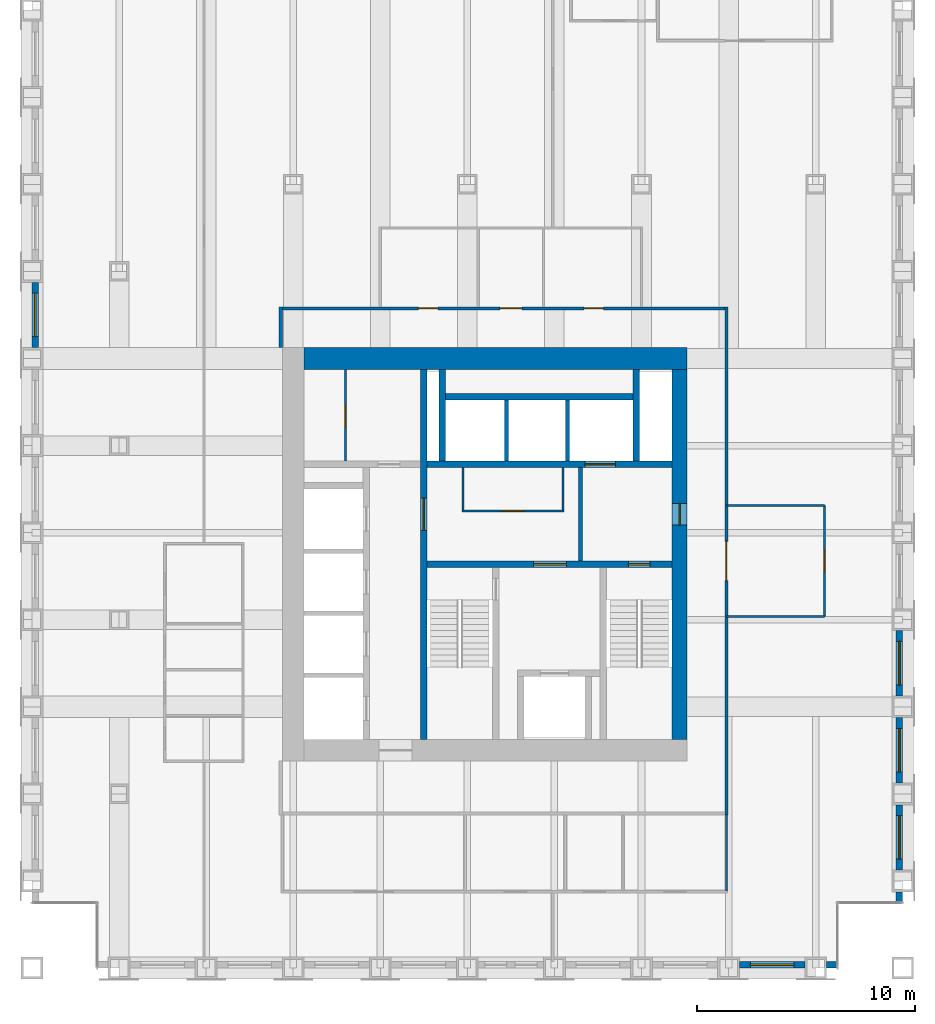
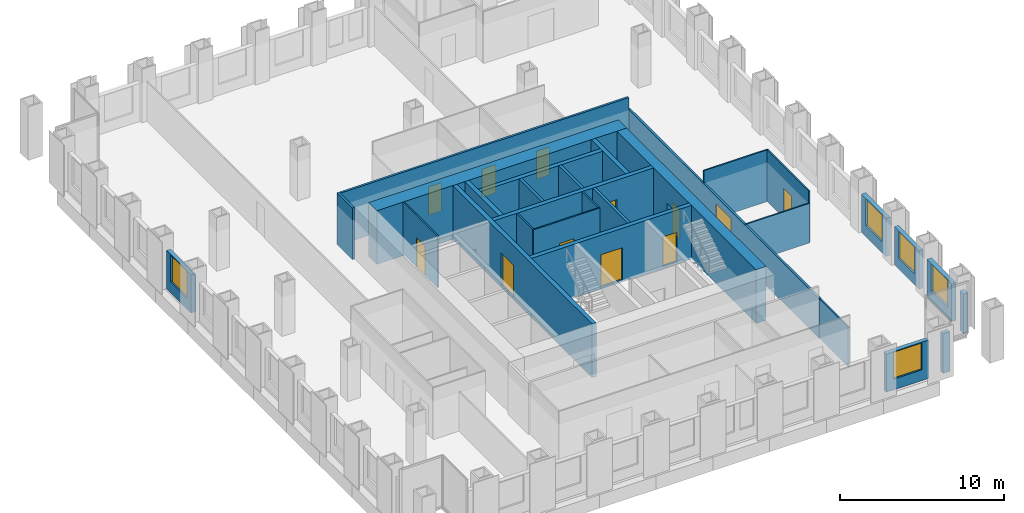
# One storey, part 10 of 13: 29 walls, 12 doors, 5 windows, 17 openings.
"""IFC4 building model written with IfcOpenShell, lengths in metres."""

from ifc_helpers import new_model, si_unit, direction, frame, frame_2d, origin, place, context, subcontext, project, spatial, rectangle, extrude, material, layer, layer_set, type_object, element, fill, save


model = new_model("IFC4")

# Units and contexts
model_context = context("Model", 3, precision=1e-05, world=origin(), true_north=direction((0.0, 1.0)))
body_context = subcontext(model_context, "Body", "Model", "MODEL_VIEW")
ifc_project = project(units=[si_unit("LENGTHUNIT", "METRE"), si_unit("AREAUNIT", "SQUARE_METRE"), si_unit("VOLUMEUNIT", "CUBIC_METRE"), si_unit("PLANEANGLEUNIT", "RADIAN"), si_unit("MASSUNIT", "GRAM", prefix="KILO")], contexts=[model_context])

# Site, building, storey
site_placement = place(None, origin())
site = spatial("IfcSite", under=ifc_project, at=site_placement, CompositionType="ELEMENT")
building_placement = place(site_placement, origin())
building = spatial("IfcBuilding", under=site, at=building_placement, Name="Rimbunsela Tower", CompositionType="ELEMENT")
storey_placement = place(building_placement, frame((0.0, 0.0, 191.800048828125)))
storey = spatial("IfcBuildingStorey", under=building, at=storey_placement, Name="L46", CompositionType="ELEMENT", Elevation=191.800048828125)

# Wall, opening, door
ifc_material_1 = material(Name="Concrete fc' 80 MPa", Category="concrete")
ifc_layer_1 = layer(ifc_material_1, 0.300048828125)
ifc_layer_set_1 = layer_set([ifc_layer_1], Name="Core internal wall 300")
wall_type_1 = type_object("IfcWallType", Name="Core internal wall 300", PredefinedType="SHEAR", material=ifc_layer_set_1)
wall_1_placement = place(storey_placement, frame((24.0, 18.5, -0.150146484375), z_axis=(0.0, 0.0, 1.0), x_axis=(0.0, 1.0, 0.0)))
wall_1 = element("IfcWall", 1, at=wall_1_placement, inside=storey, type_object=wall_type_1, Name="Core wall at stair A", PredefinedType="SHEAR", context=body_context, shape_type="SweptSolid", body=[
    extrude(rectangle(XDim=17.0, YDim=0.300048828125, at=frame_2d((8.5, 0.0))), origin(), (0.0, 0.0, 1.0), 4.0),
])
opening_1_placement = place(wall_1_placement, frame((9.60009765625, 0.0, 0.14990234375)))
opening_1 = element("IfcOpeningElement", 2, at=opening_1_placement, cuts=wall_1, Name="Opening D03", PredefinedType="OPENING", context=body_context, shape_type="SweptSolid", body=[
    extrude(rectangle(XDim=1.5, YDim=2.39990234375, at=frame_2d((0.75, 1.199951171875))), frame((0.0, 0.159912109375, 0.0), z_axis=(0.0, -1.0, 0.0), x_axis=(1.0, 0.0, 0.0)), (0.0, 0.0, 1.0), 0.320068359375),
])
ifc_material_2 = material(Name="Steel door, fire rated", Category="steel")
door_type_1 = type_object("IfcDoorType", Name="Core lobby door 1500", OperationType="DOUBLE_DOOR_DOUBLE_SWING", PredefinedType="DOOR", material=ifc_material_2)
door_1_placement = place(opening_1_placement, origin())
door_1 = element("IfcDoor", 3, at=door_1_placement, inside=storey, type_object=door_type_1, Name="West lobby door", OperationType="DOUBLE_DOOR_DOUBLE_SWING", OverallHeight=2.39990234375, OverallWidth=1.5, PredefinedType="DOOR", context=body_context, shape_type="SweptSolid", body=[
    extrude(rectangle(XDim=1.5, YDim=2.39990234375, at=frame_2d((0.75, 1.199951171875))), frame((0.0, 0.02490234375, 0.0), z_axis=(0.0, -1.0, 0.0), x_axis=(1.0, 0.0, 0.0)), (0.0, 0.0, 1.0), 0.050048828125),
])
fill(opening_1, door_1)

# Wall, openings, doors
wall_2_placement = place(storey_placement, frame((24.14990234375, 26.550048828125, -0.150146484375), z_axis=(0.0, 0.0, 1.0), x_axis=(1.0, 0.0, 0.0)))
wall_2 = element("IfcWall", 4, at=wall_2_placement, inside=storey, type_object=wall_type_1, Name="Core wall lobby south", PredefinedType="SHEAR", context=body_context, shape_type="SweptSolid", body=[
    extrude(rectangle(XDim=11.25, YDim=0.300048828125, at=frame_2d((5.625, 0.0))), origin(), (0.0, 0.0, 1.0), 4.0),
])
opening_2_placement = place(wall_2_placement, frame((9.25, 0.0, 0.14990234375)))
opening_2 = element("IfcOpeningElement", 5, at=opening_2_placement, cuts=wall_2, Name="Opening D01", PredefinedType="OPENING", context=body_context, shape_type="SweptSolid", body=[
    extrude(rectangle(XDim=1.0, YDim=2.199951171875, at=frame_2d((0.5, 1.10009765625))), frame((0.0, 0.159912109375, 0.0), z_axis=(0.0, -1.0, 0.0), x_axis=(1.0, 0.0, 0.0)), (0.0, 0.0, 1.0), 0.320068359375),
])
opening_3_placement = place(wall_2_placement, frame((4.89990234375, 0.0, 0.14990234375)))
opening_3 = element("IfcOpeningElement", 6, at=opening_3_placement, cuts=wall_2, Name="Opening D03", PredefinedType="OPENING", context=body_context, shape_type="SweptSolid", body=[
    extrude(rectangle(XDim=1.5, YDim=2.39990234375, at=frame_2d((0.75, 1.199951171875))), frame((0.0, 0.159912109375, 0.0), z_axis=(0.0, -1.0, 0.0), x_axis=(1.0, 0.0, 0.0)), (0.0, 0.0, 1.0), 0.320068359375),
])
door_2_placement = place(opening_3_placement, origin())
door_2 = element("IfcDoor", 7, at=door_2_placement, inside=storey, type_object=door_type_1, Name="Firefighting lobby door", OperationType="DOUBLE_DOOR_DOUBLE_SWING", OverallHeight=2.39990234375, OverallWidth=1.5, PredefinedType="DOOR", context=body_context, shape_type="SweptSolid", body=[
    extrude(rectangle(XDim=1.5, YDim=2.39990234375, at=frame_2d((0.75, 1.199951171875))), frame((0.0, 0.02490234375, 0.0), z_axis=(0.0, -1.0, 0.0), x_axis=(1.0, 0.0, 0.0)), (0.0, 0.0, 1.0), 0.050048828125),
])
fill(opening_3, door_2)
ifc_material_3 = material(Name="Steel door, fire rated", Category="steel")
door_type_2 = type_object("IfcDoorType", Name="Stair door 1000", OperationType="SINGLE_SWING_RIGHT", PredefinedType="DOOR", material=ifc_material_3)
door_3_placement = place(opening_2_placement, frame((1.0, 0.0, 0.0), z_axis=(0.0, 0.0, 1.0), x_axis=(-1.0, 0.0, 0.0)))
door_3 = element("IfcDoor", 8, at=door_3_placement, inside=storey, type_object=door_type_2, Name="Stair B door", OperationType="SINGLE_SWING_RIGHT", OverallHeight=2.199951171875, OverallWidth=1.0, PredefinedType="DOOR", context=body_context, shape_type="SweptSolid", body=[
    extrude(rectangle(XDim=1.0, YDim=2.199951171875, at=frame_2d((0.5, 1.10009765625))), frame((0.0, 0.02490234375, 0.0), z_axis=(0.0, -1.0, 0.0), x_axis=(1.0, 0.0, 0.0)), (0.0, 0.0, 1.0), 0.050048828125),
])
fill(opening_2, door_3)

# Wall, opening, door
wall_3_placement = place(storey_placement, frame((24.14990234375, 31.14990234375, -0.150146484375), z_axis=(0.0, 0.0, 1.0), x_axis=(1.0, 0.0, 0.0)))
wall_3 = element("IfcWall", 9, at=wall_3_placement, inside=storey, type_object=wall_type_1, Name="Lift shaft front north", PredefinedType="SHEAR", context=body_context, shape_type="SweptSolid", body=[
    extrude(rectangle(XDim=11.25, YDim=0.300048828125, at=frame_2d((5.625, 0.0))), origin(), (0.0, 0.0, 1.0), 4.0),
])
opening_4_placement = place(wall_3_placement, frame((7.25, 0.0, 0.14990234375)))
opening_4 = element("IfcOpeningElement", 10, at=opening_4_placement, cuts=wall_3, Name="Opening LD3", PredefinedType="OPENING", context=body_context, shape_type="SweptSolid", body=[
    extrude(rectangle(XDim=1.39990234375, YDim=2.39990234375, at=frame_2d((0.699951171875, 1.199951171875))), frame((0.0, 0.159912109375, 0.0), z_axis=(0.0, -1.0, 0.0), x_axis=(1.0, 0.0, 0.0)), (0.0, 0.0, 1.0), 0.320068359375),
])
ifc_material_4 = material(Name="Steel door, fire rated", Category="steel")
door_type_3 = type_object("IfcDoorType", Name="Lift landing door 1400", OperationType="DOUBLE_DOOR_SLIDING", PredefinedType="DOOR", material=ifc_material_4)
door_4_placement = place(opening_4_placement, origin())
door_4 = element("IfcDoor", 11, at=door_4_placement, inside=storey, type_object=door_type_3, Name="Lift landing door FL2", OperationType="DOUBLE_DOOR_SLIDING", OverallHeight=2.39990234375, OverallWidth=1.39990234375, PredefinedType="DOOR", context=body_context, shape_type="SweptSolid", body=[
    extrude(rectangle(XDim=1.39990234375, YDim=2.39990234375, at=frame_2d((0.699951171875, 1.199951171875))), frame((0.0, 0.02490234375, 0.0), z_axis=(0.0, -1.0, 0.0), x_axis=(1.0, 0.0, 0.0)), (0.0, 0.0, 1.0), 0.050048828125),
])
fill(opening_4, door_4)

# Walls
for number, where, z_axis, x_axis, name in (
    (12, (24.85009765625, 31.300048828125, -0.150146484375), (0.0, 0.0, 1.0), (0.0, 1.0, 0.0), "Riser wall"),
    (13, (33.75, 31.300048828125, -0.150146484375), (0.0, 0.0, 1.0), (0.0, 1.0, 0.0), "Riser wall"),
):
    element("IfcWall", number, at=place(storey_placement, frame(where, z_axis=z_axis, x_axis=x_axis)), inside=storey, type_object=wall_type_1, Name=name, PredefinedType="SHEAR", context=body_context, shape_type="SweptSolid", body=[
        extrude(rectangle(XDim=4.199951171875, YDim=0.300048828125, at=frame_2d((2.10009765625, 0.0))), origin(), (0.0, 0.0, 1.0), 4.0),
    ])
wall_4_placement = place(storey_placement, frame((25.0, 34.25, -0.150146484375), z_axis=(0.0, 0.0, 1.0), x_axis=(1.0, 0.0, 0.0)))
element("IfcWall", 14, at=wall_4_placement, inside=storey, type_object=wall_type_1, Name="Lift shaft rear north", PredefinedType="SHEAR", context=body_context, shape_type="SweptSolid", body=[
    extrude(rectangle(XDim=8.60009765625, YDim=0.300048828125, at=frame_2d((4.300048828125, 0.0))), origin(), (0.0, 0.0, 1.0), 4.0),
])

# Wall, opening, door
ifc_material_5 = material(Name="Concrete blockwork", Category="masonry")
ifc_layer_2 = layer(ifc_material_5, 0.10009765625)
ifc_layer_set_2 = layer_set([ifc_layer_2], Name="Core room partition 100")
wall_type_2 = type_object("IfcWallType", Name="Core room partition 100", PredefinedType="PARTITIONING", material=ifc_layer_set_2)
wall_5_placement = place(storey_placement, frame((20.39990234375, 31.300048828125, 0.0), z_axis=(0.0, 0.0, 1.0), x_axis=(0.0, 1.0, 0.0)))
wall_5 = element("IfcWall", 15, at=wall_5_placement, inside=storey, type_object=wall_type_2, Name="Housekeeping store wall", PredefinedType="PARTITIONING", context=body_context, shape_type="SweptSolid", body=[
    extrude(rectangle(XDim=4.199951171875, YDim=0.10009765625, at=frame_2d((2.10009765625, 0.0))), origin(), (0.0, 0.0, 1.0), 3.849853515625),
])
opening_5_placement = place(wall_5_placement, frame((1.550048828125, 0.0, 0.0)))
opening_5 = element("IfcOpeningElement", 16, at=opening_5_placement, cuts=wall_5, Name="Opening D19", PredefinedType="OPENING", context=body_context, shape_type="SweptSolid", body=[
    extrude(rectangle(XDim=1.0, YDim=2.199951171875, at=frame_2d((0.5, 1.10009765625))), frame((0.0, 0.06005859375, 0.0), z_axis=(0.0, -1.0, 0.0), x_axis=(1.0, 0.0, 0.0)), (0.0, 0.0, 1.0), 0.1201171875),
])
ifc_material_6 = material(Name="Steel door, fire rated", Category="steel")
door_type_4 = type_object("IfcDoorType", Name="Service door 1000 fire rated", OperationType="SINGLE_SWING_LEFT", PredefinedType="DOOR", material=ifc_material_6)
door_5_placement = place(opening_5_placement, origin())
door_5 = element("IfcDoor", 17, at=door_5_placement, inside=storey, type_object=door_type_4, Name="Housekeeping store door", OperationType="SINGLE_SWING_LEFT", OverallHeight=2.199951171875, OverallWidth=1.0, PredefinedType="DOOR", context=body_context, shape_type="SweptSolid", body=[
    extrude(rectangle(XDim=1.0, YDim=2.199951171875, at=frame_2d((0.5, 1.10009765625))), frame((0.0, 0.02490234375, 0.0), z_axis=(0.0, -1.0, 0.0), x_axis=(1.0, 0.0, 0.0)), (0.0, 0.0, 1.0), 0.050048828125),
])
fill(opening_5, door_5)

wall_6_placement = place(storey_placement, frame((25.75, 29.0, 0.0), z_axis=(0.0, 0.0, 1.0), x_axis=(1.0, 0.0, 0.0)))
wall_6 = element("IfcWall", 18, at=wall_6_placement, inside=storey, type_object=wall_type_2, Name="Lobby room wall", PredefinedType="PARTITIONING", context=body_context, shape_type="SweptSolid", body=[
    extrude(rectangle(XDim=4.699951171875, YDim=0.10009765625, at=frame_2d((2.35009765625, 0.0))), origin(), (0.0, 0.0, 1.0), 3.849853515625),
])
opening_6_placement = place(wall_6_placement, frame((1.85009765625, 0.0, 0.0)))
opening_6 = element("IfcOpeningElement", 19, at=opening_6_placement, cuts=wall_6, Name="Opening D19", PredefinedType="OPENING", context=body_context, shape_type="SweptSolid", body=[
    extrude(rectangle(XDim=1.0, YDim=2.199951171875, at=frame_2d((0.5, 1.10009765625))), frame((0.0, 0.06005859375, 0.0), z_axis=(0.0, -1.0, 0.0), x_axis=(1.0, 0.0, 0.0)), (0.0, 0.0, 1.0), 0.1201171875),
])
door_6_placement = place(opening_6_placement, origin())
door_6 = element("IfcDoor", 20, at=door_6_placement, inside=storey, type_object=door_type_4, Name="Tenant store door", OperationType="SINGLE_SWING_LEFT", OverallHeight=2.199951171875, OverallWidth=1.0, PredefinedType="DOOR", context=body_context, shape_type="SweptSolid", body=[
    extrude(rectangle(XDim=1.0, YDim=2.199951171875, at=frame_2d((0.5, 1.10009765625))), frame((0.0, 0.02490234375, 0.0), z_axis=(0.0, -1.0, 0.0), x_axis=(1.0, 0.0, 0.0)), (0.0, 0.0, 1.0), 0.050048828125),
])
fill(opening_6, door_6)

# Walls
for number, where, z_axis, x_axis, name in (
    (21, (25.800048828125, 29.050048828125, 0.0), (0.0, 0.0, 1.0), (0.0, 1.0, 0.0), "Lobby room wall"),
    (22, (30.39990234375, 29.050048828125, 0.0), (0.0, 0.0, 1.0), (0.0, 1.0, 0.0), "Lobby room wall"),
):
    element("IfcWall", number, at=place(storey_placement, frame(where, z_axis=z_axis, x_axis=x_axis)), inside=storey, type_object=wall_type_2, Name=name, PredefinedType="PARTITIONING", context=body_context, shape_type="SweptSolid", body=[
        extrude(rectangle(XDim=1.949951171875, YDim=0.10009765625, at=frame_2d((0.97509765625, 0.0))), origin(), (0.0, 0.0, 1.0), 3.849853515625),
    ])
ifc_material_7 = material(Name="Concrete fc' 80 MPa", Category="concrete")
ifc_layer_3 = layer(ifc_material_7, 1.0)
ifc_layer_set_3 = layer_set([ifc_layer_3], Name="Core wall 1000")
wall_type_3 = type_object("IfcWallType", Name="Core wall 1000", PredefinedType="SHEAR", material=ifc_layer_set_3)
wall_7_placement = place(storey_placement, frame((18.5, 36.0, -0.150146484375), z_axis=(0.0, 0.0, 1.0), x_axis=(1.0, 0.0, 0.0)))
element("IfcWall", 23, at=wall_7_placement, inside=storey, type_object=wall_type_3, Name="Core wall north", PredefinedType="SHEAR", context=body_context, shape_type="SweptSolid", body=[
    extrude(rectangle(XDim=17.60009765625, YDim=1.0, at=frame_2d((8.800048828125, 0.0))), origin(), (0.0, 0.0, 1.0), 4.0),
])

# Wall, opening, door
ifc_material_8 = material(Name="Concrete fc' 80 MPa", Category="concrete")
ifc_layer_4 = layer(ifc_material_8, 0.699951171875)
ifc_layer_set_4 = layer_set([ifc_layer_4], Name="Core wall 700 east")
wall_type_4 = type_object("IfcWallType", Name="Core wall 700 east", PredefinedType="SHEAR", material=ifc_layer_set_4)
wall_8_placement = place(storey_placement, frame((35.75, 18.5, -0.150146484375), z_axis=(0.0, 0.0, 1.0), x_axis=(0.0, 1.0, 0.0)))
wall_8 = element("IfcWall", 24, at=wall_8_placement, inside=storey, type_object=wall_type_4, Name="Core wall east", PredefinedType="SHEAR", context=body_context, shape_type="SweptSolid", body=[
    extrude(rectangle(XDim=17.0, YDim=0.699951171875, at=frame_2d((8.5, 0.0))), origin(), (0.0, 0.0, 1.0), 4.0),
])
opening_7_placement = place(wall_8_placement, frame((9.85009765625, 0.0, 0.14990234375)))
opening_7 = element("IfcOpeningElement", 25, at=opening_7_placement, cuts=wall_8, Name="Opening D01", PredefinedType="OPENING", context=body_context, shape_type="SweptSolid", body=[
    extrude(rectangle(XDim=1.0, YDim=2.199951171875, at=frame_2d((0.5, 1.10009765625))), frame((0.0, 0.35986328125, 0.0), z_axis=(0.0, -1.0, 0.0), x_axis=(1.0, 0.0, 0.0)), (0.0, 0.0, 1.0), 0.719970703125),
])
door_7_placement = place(opening_7_placement, origin())
door_7 = element("IfcDoor", 26, at=door_7_placement, inside=storey, type_object=door_type_2, Name="Firefighting lobby 2 door", OperationType="SINGLE_SWING_RIGHT", OverallHeight=2.199951171875, OverallWidth=1.0, PredefinedType="DOOR", context=body_context, shape_type="SweptSolid", body=[
    extrude(rectangle(XDim=1.0, YDim=2.199951171875, at=frame_2d((0.5, 1.10009765625))), frame((0.0, 0.02490234375, 0.0), z_axis=(0.0, -1.0, 0.0), x_axis=(1.0, 0.0, 0.0)), (0.0, 0.0, 1.0), 0.050048828125),
])
fill(opening_7, door_7)

# Walls
ifc_material_9 = material(Name="Concrete blockwork", Category="masonry")
ifc_layer_5 = layer(ifc_material_9, 0.199951171875)
ifc_layer_set_5 = layer_set([ifc_layer_5], Name="Lift shaft wall 200")
wall_type_5 = type_object("IfcWallType", Name="Lift shaft wall 200", PredefinedType="SOLIDWALL", material=ifc_layer_set_5)
for number, where, z_axis, x_axis, name in (
    (27, (27.800048828125, 31.300048828125, -0.150146484375), (0.0, 0.0, 1.0), (0.0, 1.0, 0.0), "Lift shaft separation"),
    (28, (30.60009765625, 31.300048828125, -0.150146484375), (0.0, 0.0, 1.0), (0.0, 1.0, 0.0), "Lift shaft separation"),
):
    element("IfcWall", number, at=place(storey_placement, frame(where, z_axis=z_axis, x_axis=x_axis)), inside=storey, type_object=wall_type_5, Name=name, PredefinedType="SOLIDWALL", context=body_context, shape_type="SweptSolid", body=[
        extrude(rectangle(XDim=2.800048828125, YDim=0.199951171875, at=frame_2d((1.39990234375, 0.0))), origin(), (0.0, 0.0, 1.0), 4.0),
    ])
wall_9_placement = place(storey_placement, frame((31.199951171875, 26.699951171875, 0.0), z_axis=(0.0, 0.0, 1.0), x_axis=(0.0, 1.0, 0.0)))
element("IfcWall", 29, at=wall_9_placement, inside=storey, type_object=wall_type_5, Name="Firefighting lobby 2 wall", PredefinedType="SOLIDWALL", context=body_context, shape_type="SweptSolid", body=[
    extrude(rectangle(XDim=4.300048828125, YDim=0.199951171875, at=frame_2d((2.14990234375, 0.0))), origin(), (0.0, 0.0, 1.0), 3.849853515625),
])
ifc_material_10 = material(Name="Gypsum board on steel studs", Category="steel")
ifc_layer_6 = layer(ifc_material_10, 0.10009765625)
ifc_layer_set_6 = layer_set([ifc_layer_6], Name="Office partition 100")
wall_type_6 = type_object("IfcWallType", Name="Office partition 100", PredefinedType="PARTITIONING", material=ifc_layer_set_6)
wall_10_placement = place(storey_placement, frame((37.89990234375, 11.550048828125, 0.0), z_axis=(0.0, 0.0, 1.0), x_axis=(0.0, 1.0, 0.0)))
element("IfcWall", 30, at=wall_10_placement, inside=storey, type_object=wall_type_6, Name="Office partition", PredefinedType="PARTITIONING", context=body_context, shape_type="SweptSolid", body=[
    extrude(rectangle(XDim=3.474853515625, YDim=0.10009765625, at=frame_2d((1.7373046875, 0.0))), origin(), (0.0, 0.0, 1.0), 2.949951171875),
])
wall_11_placement = place(storey_placement, frame((37.89990234375, 24.14990234375, 0.0), z_axis=(0.0, 0.0, 1.0), x_axis=(1.0, 0.0, 0.0)))
element("IfcWall", 31, at=wall_11_placement, inside=storey, type_object=wall_type_6, Name="Office partition", PredefinedType="PARTITIONING", context=body_context, shape_type="SweptSolid", body=[
    extrude(rectangle(XDim=4.5, YDim=0.10009765625, at=frame_2d((2.25, 0.0))), origin(), (0.0, 0.0, 1.0), 2.949951171875),
])

# Wall, opening, door
wall_12_placement = place(storey_placement, frame((42.39990234375, 24.14990234375, 0.0), z_axis=(0.0, 0.0, 1.0), x_axis=(0.0, 1.0, 0.0)))
wall_12 = element("IfcWall", 32, at=wall_12_placement, inside=storey, type_object=wall_type_6, Name="Office partition", PredefinedType="PARTITIONING", context=body_context, shape_type="SweptSolid", body=[
    extrude(rectangle(XDim=5.10009765625, YDim=0.10009765625, at=frame_2d((2.550048828125, 0.0))), origin(), (0.0, 0.0, 1.0), 3.849853515625),
])
opening_8_placement = place(wall_12_placement, frame((2.050048828125, 0.0, 0.0)))
opening_8 = element("IfcOpeningElement", 33, at=opening_8_placement, cuts=wall_12, Name="Opening D17", PredefinedType="OPENING", context=body_context, shape_type="SweptSolid", body=[
    extrude(rectangle(XDim=1.0, YDim=2.199951171875, at=frame_2d((0.5, 1.10009765625))), frame((0.0, 0.06005859375, 0.0), z_axis=(0.0, -1.0, 0.0), x_axis=(1.0, 0.0, 0.0)), (0.0, 0.0, 1.0), 0.1201171875),
])
ifc_material_11 = material(Name="Glazed aluminium door", Category="aluminium")
door_type_5 = type_object("IfcDoorType", Name="Meeting room door 1000 glazed", OperationType="SINGLE_SWING_RIGHT", PredefinedType="DOOR", material=ifc_material_11)
door_8_placement = place(opening_8_placement, origin())
door_8 = element("IfcDoor", 34, at=door_8_placement, inside=storey, type_object=door_type_5, Name="Reception door", OperationType="SINGLE_SWING_RIGHT", OverallHeight=2.199951171875, OverallWidth=1.0, PredefinedType="DOOR", context=body_context, shape_type="SweptSolid", body=[
    extrude(rectangle(XDim=1.0, YDim=2.199951171875, at=frame_2d((0.5, 1.10009765625))), frame((0.0, 0.02490234375, 0.0), z_axis=(0.0, -1.0, 0.0), x_axis=(1.0, 0.0, 0.0)), (0.0, 0.0, 1.0), 0.050048828125),
])
fill(opening_8, door_8)

# Wall
wall_13_placement = place(storey_placement, frame((42.39990234375, 29.25, 0.0), z_axis=(0.0, 0.0, 1.0), x_axis=(-1.0, 0.0, 0.0)))
element("IfcWall", 35, at=wall_13_placement, inside=storey, type_object=wall_type_6, Name="Office partition", PredefinedType="PARTITIONING", context=body_context, shape_type="SweptSolid", body=[
    extrude(rectangle(XDim=4.5, YDim=0.10009765625, at=frame_2d((2.25, 0.0))), origin(), (0.0, 0.0, 1.0), 3.849853515625),
])

# Wall, opening, window
ifc_material_12 = material(Name="Precast concrete fc' 35 MPa", Category="concrete")
ifc_layer_7 = layer(ifc_material_12, 0.300048828125)
ifc_layer_set_7 = layer_set([ifc_layer_7], Name="Precast concrete fc' 35 MPa")
wall_type_7 = type_object("IfcWallType", Name="Precast facade panel 300", PredefinedType="ELEMENTEDWALL", material=ifc_layer_set_7)
wall_14_placement = place(storey_placement, frame((38.5, 8.14990234375, 0.0), z_axis=(0.0, 0.0, 1.0), x_axis=(1.0, 0.0, 0.0)))
wall_14 = element("IfcWall", 36, at=wall_14_placement, inside=storey, type_object=wall_type_7, Name="Facade panel S L46", PredefinedType="ELEMENTEDWALL", context=body_context, shape_type="SweptSolid", body=[
    extrude(rectangle(XDim=3.0, YDim=0.300048828125, at=frame_2d((1.5, 0.0))), origin(), (0.0, 0.0, 1.0), 2.849853515625),
])
opening_9_placement = place(wall_14_placement, frame((0.5, 0.0, 0.800048828125)))
opening_9 = element("IfcOpeningElement", 37, at=opening_9_placement, cuts=wall_14, Name="Opening W1", PredefinedType="OPENING", context=body_context, shape_type="SweptSolid", body=[
    extrude(rectangle(XDim=2.0, YDim=2.0, at=frame_2d((1.0, 1.0))), frame((0.0, 0.159912109375, 0.0), z_axis=(0.0, -1.0, 0.0), x_axis=(1.0, 0.0, 0.0)), (0.0, 0.0, 1.0), 0.320068359375),
])
ifc_material_13 = material(Name="Clear glass in aluminium frame", Category="aluminium")
window_type = type_object("IfcWindowType", Name="Window W1 2000x2000", PartitioningType="DOUBLE_PANEL_VERTICAL", PredefinedType="WINDOW", material=ifc_material_13)
window_1_placement = place(opening_9_placement, origin())
window_1 = element("IfcWindow", 38, at=window_1_placement, inside=storey, type_object=window_type, Name="Window L46", OverallHeight=2.0, OverallWidth=2.0, PartitioningType="SINGLE_PANEL", PredefinedType="WINDOW", context=body_context, shape_type="SweptSolid", body=[
    extrude(rectangle(XDim=2.0, YDim=2.0, at=frame_2d((1.0, 1.0))), frame((0.0, 0.030029296875, 0.0), z_axis=(0.0, -1.0, 0.0), x_axis=(1.0, 0.0, 0.0)), (0.0, 0.0, 1.0), 0.06005859375),
])
fill(opening_9, window_1)

# Walls
for number, where, z_axis, x_axis, name in (
    (39, (42.5, 8.14990234375, 0.0), (0.0, 0.0, 1.0), (1.0, 0.0, 0.0), "Facade panel S L46"),
    (40, (45.85009765625, 11.030029296875, 0.0), (0.0, 0.0, 1.0), (0.0, 1.0, 0.0), "Facade panel E L46"),
):
    element("IfcWall", number, at=place(storey_placement, frame(where, z_axis=z_axis, x_axis=x_axis)), inside=storey, type_object=wall_type_7, Name=name, PredefinedType="ELEMENTEDWALL", context=body_context, shape_type="SweptSolid", body=[
        extrude(rectangle(XDim=0.469970703125, YDim=0.300048828125, at=frame_2d((0.23486328125, 0.0))), origin(), (0.0, 0.0, 1.0), 2.949951171875),
    ])

# Wall, opening, window
wall_15_placement = place(storey_placement, frame((45.85009765625, 12.5, 0.0), z_axis=(0.0, 0.0, 1.0), x_axis=(0.0, 1.0, 0.0)))
wall_15 = element("IfcWall", 41, at=wall_15_placement, inside=storey, type_object=wall_type_7, Name="Facade panel E L46", PredefinedType="ELEMENTEDWALL", context=body_context, shape_type="SweptSolid", body=[
    extrude(rectangle(XDim=3.0, YDim=0.300048828125, at=frame_2d((1.5, 0.0))), origin(), (0.0, 0.0, 1.0), 2.849853515625),
])
opening_10_placement = place(wall_15_placement, frame((0.5, 0.0, 0.800048828125)))
opening_10 = element("IfcOpeningElement", 42, at=opening_10_placement, cuts=wall_15, Name="Opening W1", PredefinedType="OPENING", context=body_context, shape_type="SweptSolid", body=[
    extrude(rectangle(XDim=2.0, YDim=2.0, at=frame_2d((1.0, 1.0))), frame((0.0, 0.159912109375, 0.0), z_axis=(0.0, -1.0, 0.0), x_axis=(1.0, 0.0, 0.0)), (0.0, 0.0, 1.0), 0.320068359375),
])
window_2_placement = place(opening_10_placement, origin())
window_2 = element("IfcWindow", 43, at=window_2_placement, inside=storey, type_object=window_type, Name="Window L46", OverallHeight=2.0, OverallWidth=2.0, PartitioningType="SINGLE_PANEL", PredefinedType="WINDOW", context=body_context, shape_type="SweptSolid", body=[
    extrude(rectangle(XDim=2.0, YDim=2.0, at=frame_2d((1.0, 1.0))), frame((0.0, 0.030029296875, 0.0), z_axis=(0.0, -1.0, 0.0), x_axis=(1.0, 0.0, 0.0)), (0.0, 0.0, 1.0), 0.06005859375),
])
fill(opening_10, window_2)

wall_16_placement = place(storey_placement, frame((45.85009765625, 16.5, 0.0), z_axis=(0.0, 0.0, 1.0), x_axis=(0.0, 1.0, 0.0)))
wall_16 = element("IfcWall", 44, at=wall_16_placement, inside=storey, type_object=wall_type_7, Name="Facade panel E L46", PredefinedType="ELEMENTEDWALL", context=body_context, shape_type="SweptSolid", body=[
    extrude(rectangle(XDim=3.0, YDim=0.300048828125, at=frame_2d((1.5, 0.0))), origin(), (0.0, 0.0, 1.0), 2.849853515625),
])
opening_11_placement = place(wall_16_placement, frame((0.5, 0.0, 0.800048828125)))
opening_11 = element("IfcOpeningElement", 45, at=opening_11_placement, cuts=wall_16, Name="Opening W1", PredefinedType="OPENING", context=body_context, shape_type="SweptSolid", body=[
    extrude(rectangle(XDim=2.0, YDim=2.0, at=frame_2d((1.0, 1.0))), frame((0.0, 0.159912109375, 0.0), z_axis=(0.0, -1.0, 0.0), x_axis=(1.0, 0.0, 0.0)), (0.0, 0.0, 1.0), 0.320068359375),
])
window_3_placement = place(opening_11_placement, origin())
window_3 = element("IfcWindow", 46, at=window_3_placement, inside=storey, type_object=window_type, Name="Window L46", OverallHeight=2.0, OverallWidth=2.0, PartitioningType="SINGLE_PANEL", PredefinedType="WINDOW", context=body_context, shape_type="SweptSolid", body=[
    extrude(rectangle(XDim=2.0, YDim=2.0, at=frame_2d((1.0, 1.0))), frame((0.0, 0.030029296875, 0.0), z_axis=(0.0, -1.0, 0.0), x_axis=(1.0, 0.0, 0.0)), (0.0, 0.0, 1.0), 0.06005859375),
])
fill(opening_11, window_3)

wall_17_placement = place(storey_placement, frame((45.85009765625, 20.5, 0.0), z_axis=(0.0, 0.0, 1.0), x_axis=(0.0, 1.0, 0.0)))
wall_17 = element("IfcWall", 47, at=wall_17_placement, inside=storey, type_object=wall_type_7, Name="Facade panel E L46", PredefinedType="ELEMENTEDWALL", context=body_context, shape_type="SweptSolid", body=[
    extrude(rectangle(XDim=3.0, YDim=0.300048828125, at=frame_2d((1.5, 0.0))), origin(), (0.0, 0.0, 1.0), 2.849853515625),
])
opening_12_placement = place(wall_17_placement, frame((0.5, 0.0, 0.800048828125)))
opening_12 = element("IfcOpeningElement", 48, at=opening_12_placement, cuts=wall_17, Name="Opening W1", PredefinedType="OPENING", context=body_context, shape_type="SweptSolid", body=[
    extrude(rectangle(XDim=2.0, YDim=2.0, at=frame_2d((1.0, 1.0))), frame((0.0, 0.159912109375, 0.0), z_axis=(0.0, -1.0, 0.0), x_axis=(1.0, 0.0, 0.0)), (0.0, 0.0, 1.0), 0.320068359375),
])
window_4_placement = place(opening_12_placement, origin())
window_4 = element("IfcWindow", 49, at=window_4_placement, inside=storey, type_object=window_type, Name="Window L46", OverallHeight=2.0, OverallWidth=2.0, PartitioningType="SINGLE_PANEL", PredefinedType="WINDOW", context=body_context, shape_type="SweptSolid", body=[
    extrude(rectangle(XDim=2.0, YDim=2.0, at=frame_2d((1.0, 1.0))), frame((0.0, 0.030029296875, 0.0), z_axis=(0.0, -1.0, 0.0), x_axis=(1.0, 0.0, 0.0)), (0.0, 0.0, 1.0), 0.06005859375),
])
fill(opening_12, window_4)

wall_18_placement = place(storey_placement, frame((6.14990234375, 39.5, 0.0), z_axis=(0.0, 0.0, 1.0), x_axis=(0.0, -1.0, 0.0)))
wall_18 = element("IfcWall", 50, at=wall_18_placement, inside=storey, type_object=wall_type_7, Name="Facade panel W L46", PredefinedType="ELEMENTEDWALL", context=body_context, shape_type="SweptSolid", body=[
    extrude(rectangle(XDim=3.0, YDim=0.300048828125, at=frame_2d((1.5, 0.0))), origin(), (0.0, 0.0, 1.0), 2.849853515625),
])
opening_13_placement = place(wall_18_placement, frame((0.5, 0.0, 0.800048828125)))
opening_13 = element("IfcOpeningElement", 51, at=opening_13_placement, cuts=wall_18, Name="Opening W1", PredefinedType="OPENING", context=body_context, shape_type="SweptSolid", body=[
    extrude(rectangle(XDim=2.0, YDim=2.0, at=frame_2d((1.0, 1.0))), frame((0.0, 0.159912109375, 0.0), z_axis=(0.0, -1.0, 0.0), x_axis=(1.0, 0.0, 0.0)), (0.0, 0.0, 1.0), 0.320068359375),
])
window_5_placement = place(opening_13_placement, origin())
window_5 = element("IfcWindow", 52, at=window_5_placement, inside=storey, type_object=window_type, Name="Window L46", OverallHeight=2.0, OverallWidth=2.0, PartitioningType="SINGLE_PANEL", PredefinedType="WINDOW", context=body_context, shape_type="SweptSolid", body=[
    extrude(rectangle(XDim=2.0, YDim=2.0, at=frame_2d((1.0, 1.0))), frame((0.0, 0.030029296875, 0.0), z_axis=(0.0, -1.0, 0.0), x_axis=(1.0, 0.0, 0.0)), (0.0, 0.0, 1.0), 0.06005859375),
])
fill(opening_13, window_5)

# Wall
ifc_material_14 = material(Name="Fire-rated gypsum board on steel studs, EI 60", Category="steel")
ifc_layer_8 = layer(ifc_material_14, 0.14990234375)
ifc_layer_set_8 = layer_set([ifc_layer_8], Name="Rated corridor wall 150")
wall_type_8 = type_object("IfcWallType", Name="Rated corridor wall 150", PredefinedType="PARTITIONING", material=ifc_layer_set_8)
wall_19_placement = place(storey_placement, frame((17.425048828125, 36.5, 0.0), z_axis=(0.0, 0.0, 1.0), x_axis=(0.0, 1.0, 0.0)))
element("IfcWall", 53, at=wall_19_placement, inside=storey, type_object=wall_type_8, Name="Corridor end wall north", PredefinedType="PARTITIONING", context=body_context, shape_type="SweptSolid", body=[
    extrude(rectangle(XDim=1.875, YDim=0.14990234375, at=frame_2d((0.9375, 0.0))), origin(), (0.0, 0.0, 1.0), 3.849853515625),
])

# Wall, opening, door
wall_20_placement = place(storey_placement, frame((37.89990234375, 15.02490234375, 0.0), z_axis=(0.0, 0.0, 1.0), x_axis=(0.0, 1.0, 0.0)))
wall_20 = element("IfcWall", 54, at=wall_20_placement, inside=storey, type_object=wall_type_8, Name="Corridor wall east", PredefinedType="PARTITIONING", context=body_context, shape_type="SweptSolid", body=[
    extrude(rectangle(XDim=23.35009765625, YDim=0.14990234375, at=frame_2d((11.675048828125, 0.0))), origin(), (0.0, 0.0, 1.0), 2.949951171875),
])
opening_14_placement = place(wall_20_placement, frame((10.77490234375, 0.0, 0.0)))
opening_14 = element("IfcOpeningElement", 55, at=opening_14_placement, cuts=wall_20, Name="Opening D09", PredefinedType="OPENING", context=body_context, shape_type="SweptSolid", body=[
    extrude(rectangle(XDim=1.800048828125, YDim=2.39990234375, at=frame_2d((0.89990234375, 1.199951171875))), frame((0.0, 0.0849609375, 0.0), z_axis=(0.0, -1.0, 0.0), x_axis=(1.0, 0.0, 0.0)), (0.0, 0.0, 1.0), 0.169921875),
])
ifc_material_15 = material(Name="Glazed aluminium door, fire rated", Category="aluminium")
door_type_6 = type_object("IfcDoorType", Name="Tenancy door 1800 glazed", OperationType="DOUBLE_DOOR_DOUBLE_SWING", PredefinedType="DOOR", material=ifc_material_15)
door_9_placement = place(opening_14_placement, origin())
door_9 = element("IfcDoor", 56, at=door_9_placement, inside=storey, type_object=door_type_6, Name="Tenancy door", OperationType="DOUBLE_DOOR_DOUBLE_SWING", OverallHeight=2.39990234375, OverallWidth=1.800048828125, PredefinedType="DOOR", context=body_context, shape_type="SweptSolid", body=[
    extrude(rectangle(XDim=1.800048828125, YDim=2.39990234375, at=frame_2d((0.89990234375, 1.199951171875))), frame((0.0, 0.02490234375, 0.0), z_axis=(0.0, -1.0, 0.0), x_axis=(1.0, 0.0, 0.0)), (0.0, 0.0, 1.0), 0.050048828125),
])
fill(opening_14, door_9)

# Wall, openings, doors
wall_21_placement = place(storey_placement, frame((17.5, 38.300048828125, 0.0), z_axis=(0.0, 0.0, 1.0), x_axis=(1.0, 0.0, 0.0)))
wall_21 = element("IfcWall", 57, at=wall_21_placement, inside=storey, type_object=wall_type_8, Name="Corridor wall north", PredefinedType="PARTITIONING", context=body_context, shape_type="SweptSolid", body=[
    extrude(rectangle(XDim=20.324951171875, YDim=0.14990234375, at=frame_2d((10.16259765625, 0.0))), origin(), (0.0, 0.0, 1.0), 3.849853515625),
])
opening_15_placement = place(wall_21_placement, frame((6.25, 0.0, 0.0)))
opening_15 = element("IfcOpeningElement", 58, at=opening_15_placement, cuts=wall_21, Name="Opening D04", PredefinedType="OPENING", context=body_context, shape_type="SweptSolid", body=[
    extrude(rectangle(XDim=0.89990234375, YDim=2.10009765625, at=frame_2d((0.449951171875, 1.050048828125))), frame((0.0, 0.0849609375, 0.0), z_axis=(0.0, -1.0, 0.0), x_axis=(1.0, 0.0, 0.0)), (0.0, 0.0, 1.0), 0.169921875),
])
opening_16_placement = place(wall_21_placement, frame((10.0, 0.0, 0.0)))
opening_16 = element("IfcOpeningElement", 59, at=opening_16_placement, cuts=wall_21, Name="Opening D05", PredefinedType="OPENING", context=body_context, shape_type="SweptSolid", body=[
    extrude(rectangle(XDim=1.0, YDim=2.10009765625, at=frame_2d((0.5, 1.050048828125))), frame((0.0, 0.0849609375, 0.0), z_axis=(0.0, -1.0, 0.0), x_axis=(1.0, 0.0, 0.0)), (0.0, 0.0, 1.0), 0.169921875),
])
opening_17_placement = place(wall_21_placement, frame((13.85009765625, 0.0, 0.0)))
opening_17 = element("IfcOpeningElement", 60, at=opening_17_placement, cuts=wall_21, Name="Opening D04", PredefinedType="OPENING", context=body_context, shape_type="SweptSolid", body=[
    extrude(rectangle(XDim=0.89990234375, YDim=2.10009765625, at=frame_2d((0.449951171875, 1.050048828125))), frame((0.0, 0.0849609375, 0.0), z_axis=(0.0, -1.0, 0.0), x_axis=(1.0, 0.0, 0.0)), (0.0, 0.0, 1.0), 0.169921875),
])
ifc_material_16 = material(Name="Timber door", Category="wood")
door_type_7 = type_object("IfcDoorType", Name="Accessible WC door 1000", OperationType="SLIDING_TO_LEFT", PredefinedType="DOOR", material=ifc_material_16)
door_10_placement = place(opening_16_placement, origin())
door_10 = element("IfcDoor", 61, at=door_10_placement, inside=storey, type_object=door_type_7, Name="Accessible WC door", OperationType="SLIDING_TO_LEFT", OverallHeight=2.10009765625, OverallWidth=1.0, PredefinedType="DOOR", context=body_context, shape_type="SweptSolid", body=[
    extrude(rectangle(XDim=1.0, YDim=2.10009765625, at=frame_2d((0.5, 1.050048828125))), frame((0.0, 0.02490234375, 0.0), z_axis=(0.0, -1.0, 0.0), x_axis=(1.0, 0.0, 0.0)), (0.0, 0.0, 1.0), 0.050048828125),
])
fill(opening_16, door_10)
ifc_material_17 = material(Name="Timber door", Category="wood")
door_type_8 = type_object("IfcDoorType", Name="Toilet door 900", OperationType="SINGLE_SWING_LEFT", PredefinedType="DOOR", material=ifc_material_17)
door_11_placement = place(opening_15_placement, origin())
door_11 = element("IfcDoor", 62, at=door_11_placement, inside=storey, type_object=door_type_8, Name="Female WC door", OperationType="SINGLE_SWING_LEFT", OverallHeight=2.10009765625, OverallWidth=0.89990234375, PredefinedType="DOOR", context=body_context, shape_type="SweptSolid", body=[
    extrude(rectangle(XDim=0.89990234375, YDim=2.10009765625, at=frame_2d((0.449951171875, 1.050048828125))), frame((0.0, 0.02490234375, 0.0), z_axis=(0.0, -1.0, 0.0), x_axis=(1.0, 0.0, 0.0)), (0.0, 0.0, 1.0), 0.050048828125),
])
fill(opening_15, door_11)
door_12_placement = place(opening_17_placement, origin())
door_12 = element("IfcDoor", 63, at=door_12_placement, inside=storey, type_object=door_type_8, Name="Male WC door", OperationType="SINGLE_SWING_LEFT", OverallHeight=2.10009765625, OverallWidth=0.89990234375, PredefinedType="DOOR", context=body_context, shape_type="SweptSolid", body=[
    extrude(rectangle(XDim=0.89990234375, YDim=2.10009765625, at=frame_2d((0.449951171875, 1.050048828125))), frame((0.0, 0.02490234375, 0.0), z_axis=(0.0, -1.0, 0.0), x_axis=(1.0, 0.0, 0.0)), (0.0, 0.0, 1.0), 0.050048828125),
])
fill(opening_17, door_12)

save(model, "model.ifc")
